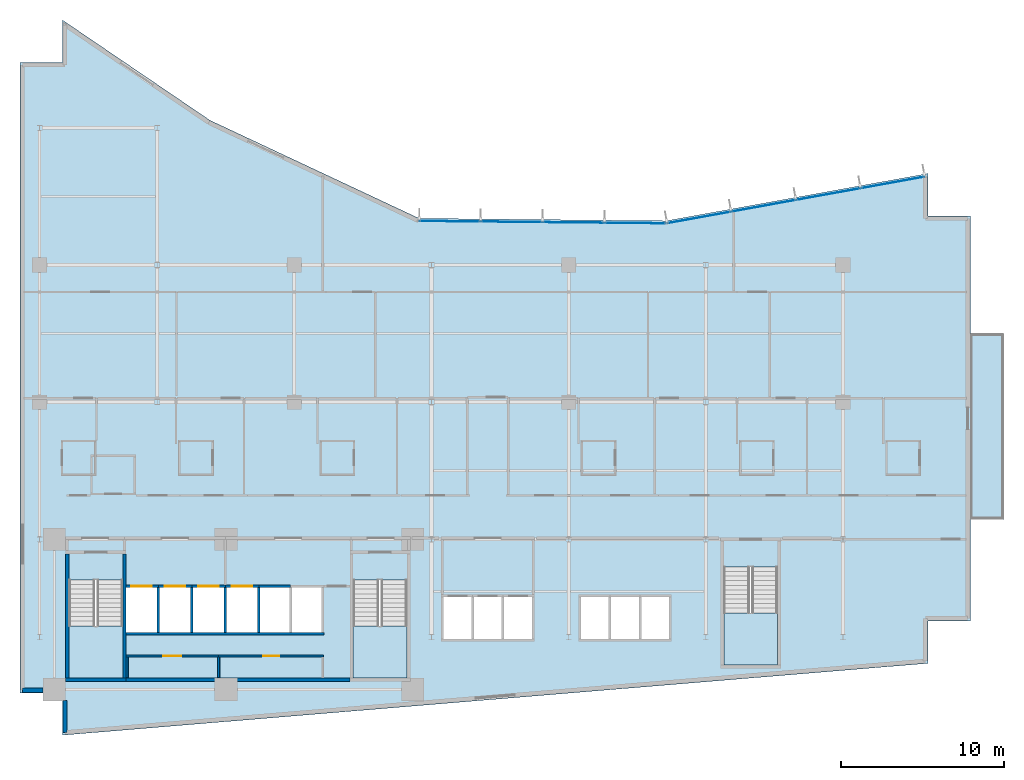
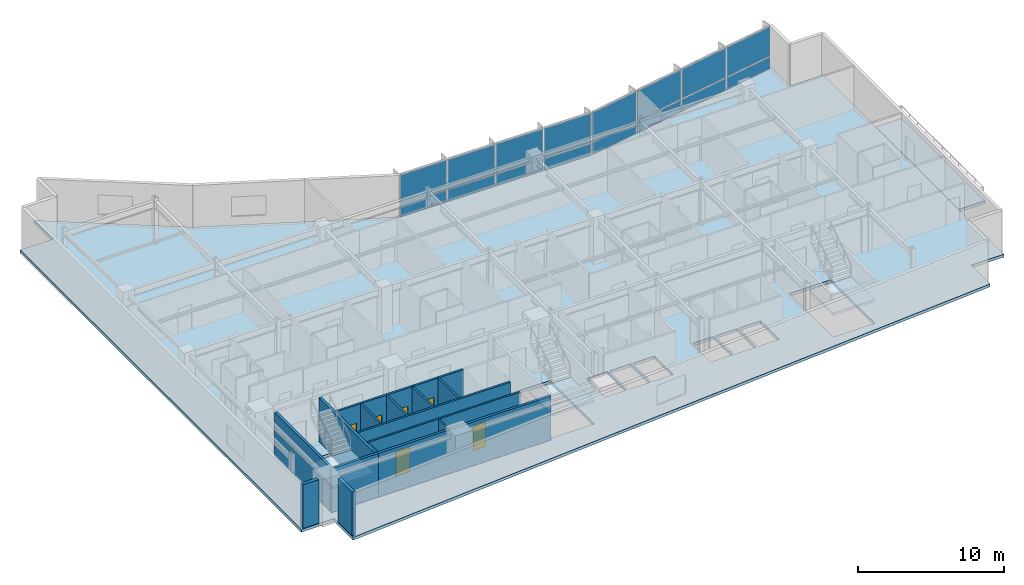
# One storey, part 9 of 19: 20 walls, 16 plates, 6 doors, 5 slabs, 6 openings, 5 elements without a shape of their own.
"""IFC4 building model written with IfcOpenShell, lengths in metres."""

import ifcopenshell
import ifcopenshell.guid

model = None  # the IFC model being written
_history = None  # IfcOwnerHistory: only IFC2X3 demands one
_inside = {}  # id of a spatial element -> (the spatial element, [elements in it])
_under = {}  # id of a project, library or spatial element -> (it, [spatial elements below it])
_declared = {}  # id of a project -> (the project, [libraries it declares])
_typed = {}  # id of a type object -> (the type object, [elements of that type])
_made_of = {}  # id of a material, layer set ... -> (it, [elements and type objects made of it])


def new_model(schema):
    """Start an empty IFC model of exactly this schema.

    Asked for "IFC4X3", IfcOpenShell would pick the latest addendum, in which some entities
    have other attributes; the version numbers below select the first issue.
    IFC2X3 requires an IfcOwnerHistory on every rooted entity: one is made here for all.
    """
    global model, _history
    if schema == "IFC4X3":
        model = ifcopenshell.file(schema_version=(4, 3, 0, 0))
    else:
        model = ifcopenshell.file(schema=schema)
    _inside.clear()
    _under.clear()
    _declared.clear()
    _typed.clear()
    _made_of.clear()
    _history = None
    if model.schema == "IFC2X3":
        org = make("IfcOrganization", Name="unknown")
        user = make(
            "IfcPersonAndOrganization",
            ThePerson=make("IfcPerson", FamilyName="unknown"),
            TheOrganization=org,
        )
        app = make(
            "IfcApplication",
            ApplicationDeveloper=org,
            Version="unknown",
            ApplicationFullName="unknown",
            ApplicationIdentifier="unknown",
        )
        _history = make(
            "IfcOwnerHistory",
            OwningUser=user,
            OwningApplication=app,
            ChangeAction="ADDED",
            CreationDate=0,
        )
    return model


def make(cls, **values):
    """One entity of the class cls with the attributes given. An attribute that is None is left unset."""
    return model.create_entity(
        cls, **{name: value for name, value in values.items() if value is not None}
    )


def rooted(cls, **values):
    """An entity with a GlobalId (a new one), such as an element, a storey or a relation."""
    return make(cls, GlobalId=ifcopenshell.guid.new(), OwnerHistory=_history, **values)


def si_unit(unit_type, name, prefix=None):
    """IfcSIUnit, for example si_unit("LENGTHUNIT", "METRE", prefix="MILLI")."""
    return make("IfcSIUnit", UnitType=unit_type, Prefix=prefix, Name=name)


def assignment(units):
    """IfcUnitAssignment: the units of a project."""
    return None if units is None else make("IfcUnitAssignment", Units=units)


def point(xyz):
    """IfcCartesianPoint."""
    return None if xyz is None else make("IfcCartesianPoint", Coordinates=xyz)


def direction(xyz):
    """IfcDirection."""
    return None if xyz is None else make("IfcDirection", DirectionRatios=xyz)


def frame(location, z_axis=None, x_axis=None):
    """IfcAxis2Placement3D, a coordinate frame: its origin and axes. An axis left out is left unset."""
    return make(
        "IfcAxis2Placement3D",
        Location=point(location),
        Axis=direction(z_axis),
        RefDirection=direction(x_axis),
    )


def frame_2d(location, x_axis=None):
    """IfcAxis2Placement2D, a coordinate frame in the plane: its origin and x axis."""
    return make(
        "IfcAxis2Placement2D", Location=point(location), RefDirection=direction(x_axis)
    )


def origin():
    """The frame at (0, 0, 0) with its axes left unset."""
    return frame((0.0, 0.0, 0.0))


def origin_2d():
    """The frame at (0, 0) in the plane with its x axis left unset."""
    return frame_2d((0.0, 0.0))


def place(relative_to, where):
    """IfcLocalPlacement: puts the frame where relative to a parent placement (None: the world)."""
    return make(
        "IfcLocalPlacement", PlacementRelTo=relative_to, RelativePlacement=where
    )


def context(
    kind, dimensions, precision=None, world=None, true_north=None, identifier=None
):
    """IfcGeometricRepresentationContext, for example the 3D "Model" context."""
    return make(
        "IfcGeometricRepresentationContext",
        ContextIdentifier=identifier,
        ContextType=kind,
        CoordinateSpaceDimension=dimensions,
        Precision=precision,
        WorldCoordinateSystem=world,
        TrueNorth=true_north,
    )


def subcontext(parent, identifier, kind, view, scale=None):
    """IfcGeometricRepresentationSubContext, for example "Body" below "Model"."""
    return make(
        "IfcGeometricRepresentationSubContext",
        ContextIdentifier=identifier,
        ContextType=kind,
        ParentContext=parent,
        TargetScale=scale,
        TargetView=view,
    )


def project(units=None, contexts=None):
    """IfcProject with its units and contexts."""
    return rooted(
        "IfcProject",
        Name="project",
        RepresentationContexts=contexts,
        UnitsInContext=assignment(units),
    )


def spatial(cls, under=None, at=None, **own):
    """A site, building, storey or space (cls), placed at a placement, below another one or the project."""
    s = rooted(cls, ObjectPlacement=at, **own)
    if under is not None:
        _under.setdefault(under.id(), (under, []))[1].append(s)
    return s


def polyline(points):
    """IfcPolyline through the points."""
    return make("IfcPolyline", Points=[point(p) for p in points])


def profile(cls, at=None, kind="AREA", **sizes):
    """A parametric profile (cls). Its sizes go by their IFC names, for example OverallWidth=200.0."""
    return make(cls, ProfileType=kind, Position=at, **sizes)


def rectangle(**sizes):
    """IfcRectangleProfileDef."""
    return profile("IfcRectangleProfileDef", **sizes)


def outline(outer, holes=None, kind="AREA"):
    """IfcArbitraryClosedProfileDef: a profile drawn as a closed curve; with holes, ...WithVoids."""
    if holes is None:
        return make("IfcArbitraryClosedProfileDef", ProfileType=kind, OuterCurve=outer)
    return make(
        "IfcArbitraryProfileDefWithVoids",
        ProfileType=kind,
        OuterCurve=outer,
        InnerCurves=holes,
    )


def extrude(swept, where, along, depth):
    """IfcExtrudedAreaSolid: the profile swept, set in the frame where, extruded along a direction by depth."""
    return make(
        "IfcExtrudedAreaSolid",
        SweptArea=swept,
        Position=where,
        ExtrudedDirection=direction(along),
        Depth=depth,
    )


def shape(context_of_items, identifier, shape_type, items):
    """IfcShapeRepresentation: the items that make up one representation, for example the "Body"."""
    return make(
        "IfcShapeRepresentation",
        ContextOfItems=context_of_items,
        RepresentationIdentifier=identifier,
        RepresentationType=shape_type,
        Items=items,
    )


def material(Name=None, Category=None):
    """IfcMaterial."""
    return make("IfcMaterial", Name=Name, Category=Category)


def layer(
    of_material, thickness, ventilated=None, Name=None, Category=None, Priority=None
):
    """IfcMaterialLayer: one layer of a wall or slab, of a material (None: an air gap)."""
    return make(
        "IfcMaterialLayer",
        Material=of_material,
        LayerThickness=thickness,
        IsVentilated=ventilated,
        Name=Name,
        Category=Category,
        Priority=Priority,
    )


def layer_set(layers, Name=None):
    """IfcMaterialLayerSet."""
    return make("IfcMaterialLayerSet", MaterialLayers=layers, LayerSetName=Name)


def made_of(thing, what):
    """Note that an element or type object is made of a material, layer set ...; save() writes the relation."""
    if what is not None:
        _made_of.setdefault(what.id(), (what, []))[1].append(thing)
    return thing


def type_object(cls, material=None, **own):
    """A type object (cls), such as IfcWallType, which elements share."""
    return made_of(rooted(cls, **own), material)


def element(
    cls,
    number,
    at=None,
    inside=None,
    cuts=None,
    type_object=None,
    material=None,
    context=None,
    identifier="Body",
    shape_type=None,
    held_by="IfcProductDefinitionShape",
    body=None,
    shapes=None,
    **own,
):
    """One element of the class cls, such as IfcWall. Its Tag is "e" and its number.

    at: its placement. inside: the storey or other place that contains it. cuts: it is an
    opening in that element (IfcRelVoidsElement). A single representation is given by context,
    identifier, shape_type and body (its items); several are given by shapes. held_by: the class
    of the entity that holds the representations. save() writes the other relations.
    """
    e = rooted(cls, Tag="e%d" % number, ObjectPlacement=at, **own)
    if body is not None:
        shapes = [shape(context, identifier, shape_type, body)]
    if shapes is not None:
        e.Representation = make(held_by, Representations=shapes)
    if inside is not None:
        _inside.setdefault(inside.id(), (inside, []))[1].append(e)
    if cuts is not None:
        rooted(
            "IfcRelVoidsElement", RelatingBuildingElement=cuts, RelatedOpeningElement=e
        )
    if type_object is not None:
        _typed.setdefault(type_object.id(), (type_object, []))[1].append(e)
    return made_of(e, material)


def fill(opening, filler):
    """IfcRelFillsElement: the door or window that sits in an opening."""
    return rooted(
        "IfcRelFillsElement",
        RelatingOpeningElement=opening,
        RelatedBuildingElement=filler,
    )


def aggregate(whole, parts):
    """IfcRelAggregates: a whole, such as a stair, and the parts it consists of."""
    return rooted("IfcRelAggregates", RelatingObject=whole, RelatedObjects=parts)


def save(model, path):
    """Write the relations noted so far, then the file.

    IfcRelAggregates (storeys below a building ...), IfcRelContainedInSpatialStructure (elements
    in a storey), IfcRelDefinesByType, IfcRelAssociatesMaterial and IfcRelDeclares: one each for
    every whole, place, type object, material and project.
    """
    for whole, parts in _under.values():
        aggregate(whole, parts)
    for where, things in _inside.values():
        rooted(
            "IfcRelContainedInSpatialStructure",
            RelatedElements=things,
            RelatingStructure=where,
        )
    for kind, things in _typed.values():
        rooted("IfcRelDefinesByType", RelatedObjects=things, RelatingType=kind)
    for what, things in _made_of.values():
        rooted("IfcRelAssociatesMaterial", RelatedObjects=things, RelatingMaterial=what)
    for by, libraries in _declared.values():
        rooted("IfcRelDeclares", RelatingContext=by, RelatedDefinitions=libraries)
    model.write(path)


model = new_model("IFC4")

# Units and contexts
model_context = context("Model", 3, precision=1e-05, world=origin(), true_north=direction((0.0, 1.0)))
body_context = subcontext(model_context, "Body", "Model", "MODEL_VIEW")
ifc_project = project(units=[si_unit("LENGTHUNIT", "METRE"), si_unit("AREAUNIT", "SQUARE_METRE"), si_unit("VOLUMEUNIT", "CUBIC_METRE"), si_unit("PLANEANGLEUNIT", "RADIAN"), si_unit("MASSUNIT", "GRAM", prefix="KILO")], contexts=[model_context])

# Site, building, storey
site_placement = place(None, origin())
site = spatial("IfcSite", under=ifc_project, at=site_placement, CompositionType="ELEMENT")
building_placement = place(site_placement, origin())
building = spatial("IfcBuilding", under=site, at=building_placement, Name="Varnakote Quay Hospital", CompositionType="ELEMENT")
storey_placement = place(building_placement, frame((0.0, 0.0, 93.60009765625)))
storey = spatial("IfcBuildingStorey", under=building, at=storey_placement, Name="L23", CompositionType="ELEMENT", Elevation=93.60009765625)

# Curtain wall, plates
ifc_material_1 = material(Name="Anodised aluminium 6063-T6 Bronze", Category="aluminium")
ifc_layer_1 = layer(ifc_material_1, 0.18994140625)
ifc_layer_set_1 = layer_set([ifc_layer_1], Name="Anodised aluminium 6063-T6 Bronze")
curtain_wall_type = type_object("IfcCurtainWallType", Name="CW-SYS-2", PredefinedType="NOTDEFINED", material=ifc_layer_set_1)
curtain_wall_1_placement = place(storey_placement, origin())
curtain_wall_1 = element("IfcCurtainWall", 1, at=curtain_wall_1_placement, inside=storey, type_object=curtain_wall_type, Name="L23 Unitised Bronze Curtain Wall 1", PredefinedType="NOTDEFINED")
ifc_material_2 = material(Name="Double-glazed acoustic laminated glass", Category="glass")
ifc_layer_2 = layer(ifc_material_2, 0.031982421875)
ifc_layer_set_2 = layer_set([ifc_layer_2], Name="Double-glazed acoustic laminated glass")
plate_type = type_object("IfcPlateType", Name="CW-PNL-GLZ-32", PredefinedType="CURTAIN_PANEL", material=ifc_layer_set_2)
plate_1_placement = place(storey_placement, frame((53.440185546875, 33.84716796875, 0.07470703125), z_axis=(0.0, 0.0, 1.0), x_axis=(-0.984058295766, -0.177846199098, 0.0)))
plate_1 = element("IfcPlate", 2, at=plate_1_placement, type_object=plate_type, Name="-2-L23-1 panel 1.1", PredefinedType="CURTAIN_PANEL", context=body_context, shape_type="SweptSolid", body=[
    extrude(rectangle(XDim=3.914306640625, YDim=0.031982421875, at=origin_2d()), origin(), (0.0, 0.0, 1.0), 0.987548828125),
])
plate_2_placement = place(storey_placement, frame((53.440185546875, 33.84716796875, 1.137451171875), z_axis=(0.0, 0.0, 1.0), x_axis=(-0.984058295766, -0.177846199098, 0.0)))
plate_2 = element("IfcPlate", 3, at=plate_2_placement, type_object=plate_type, Name="-2-L23-1 panel 1.2", PredefinedType="CURTAIN_PANEL", context=body_context, shape_type="SweptSolid", body=[
    extrude(rectangle(XDim=3.914306640625, YDim=0.031982421875, at=origin_2d()), origin(), (0.0, 0.0, 1.0), 2.45751953125),
])
plate_3_placement = place(storey_placement, frame((49.49609375, 33.13427734375, 0.07470703125), z_axis=(0.0, 0.0, 1.0), x_axis=(-0.984058295766, -0.177846199098, 0.0)))
plate_3 = element("IfcPlate", 4, at=plate_3_placement, type_object=plate_type, Name="-2-L23-1 panel 2.1", PredefinedType="CURTAIN_PANEL", context=body_context, shape_type="SweptSolid", body=[
    extrude(rectangle(XDim=3.951904296875, YDim=0.031982421875, at=origin_2d()), origin(), (0.0, 0.0, 1.0), 0.987548828125),
])
plate_4_placement = place(storey_placement, frame((49.49609375, 33.13427734375, 1.137451171875), z_axis=(0.0, 0.0, 1.0), x_axis=(-0.984058295766, -0.177846199098, 0.0)))
plate_4 = element("IfcPlate", 5, at=plate_4_placement, type_object=plate_type, Name="-2-L23-1 panel 2.2", PredefinedType="CURTAIN_PANEL", context=body_context, shape_type="SweptSolid", body=[
    extrude(rectangle(XDim=3.951904296875, YDim=0.031982421875, at=origin_2d()), origin(), (0.0, 0.0, 1.0), 2.45751953125),
])
plate_5_placement = place(storey_placement, frame((45.533447265625, 32.418212890625, 0.07470703125), z_axis=(0.0, 0.0, 1.0), x_axis=(-0.984058295766, -0.177846199098, 0.0)))
plate_5 = element("IfcPlate", 6, at=plate_5_placement, type_object=plate_type, Name="-2-L23-1 panel 3.1", PredefinedType="CURTAIN_PANEL", context=body_context, shape_type="SweptSolid", body=[
    extrude(rectangle(XDim=3.951904296875, YDim=0.031982421875, at=origin_2d()), origin(), (0.0, 0.0, 1.0), 0.987548828125),
])
plate_6_placement = place(storey_placement, frame((45.533447265625, 32.418212890625, 1.137451171875), z_axis=(0.0, 0.0, 1.0), x_axis=(-0.984058295766, -0.177846199098, 0.0)))
plate_6 = element("IfcPlate", 7, at=plate_6_placement, type_object=plate_type, Name="-2-L23-1 panel 3.2", PredefinedType="CURTAIN_PANEL", context=body_context, shape_type="SweptSolid", body=[
    extrude(rectangle(XDim=3.951904296875, YDim=0.031982421875, at=origin_2d()), origin(), (0.0, 0.0, 1.0), 2.45751953125),
])
plate_7_placement = place(storey_placement, frame((41.58935546875, 31.705322265625, 0.07470703125), z_axis=(0.0, 0.0, 1.0), x_axis=(-0.984058295766, -0.177846199098, 0.0)))
plate_7 = element("IfcPlate", 8, at=plate_7_placement, type_object=plate_type, Name="-2-L23-1 panel 4.1", PredefinedType="CURTAIN_PANEL", context=body_context, shape_type="SweptSolid", body=[
    extrude(rectangle(XDim=3.914306640625, YDim=0.031982421875, at=origin_2d()), origin(), (0.0, 0.0, 1.0), 0.987548828125),
])
plate_8_placement = place(storey_placement, frame((41.58935546875, 31.705322265625, 1.137451171875), z_axis=(0.0, 0.0, 1.0), x_axis=(-0.984058295766, -0.177846199098, 0.0)))
plate_8 = element("IfcPlate", 9, at=plate_8_placement, type_object=plate_type, Name="-2-L23-1 panel 4.2", PredefinedType="CURTAIN_PANEL", context=body_context, shape_type="SweptSolid", body=[
    extrude(rectangle(XDim=3.914306640625, YDim=0.031982421875, at=origin_2d()), origin(), (0.0, 0.0, 1.0), 2.45751953125),
])
aggregate(curtain_wall_1, [plate_1, plate_2, plate_3, plate_4, plate_5, plate_6, plate_7, plate_8])

curtain_wall_2_placement = place(storey_placement, origin())
curtain_wall_2 = element("IfcCurtainWall", 10, at=curtain_wall_2_placement, inside=storey, type_object=curtain_wall_type, Name="L23 Unitised Bronze Curtain Wall 2", PredefinedType="NOTDEFINED")
plate_9_placement = place(storey_placement, frame((37.673095703125, 31.362548828125, 0.07470703125), z_axis=(0.0, 0.0, 1.0), x_axis=(-0.999952230718, 0.009774266312, 0.0)))
plate_9 = element("IfcPlate", 11, at=plate_9_placement, type_object=plate_type, Name="-2-L23-2 panel 1.1", PredefinedType="CURTAIN_PANEL", context=body_context, shape_type="SweptSolid", body=[
    extrude(rectangle(XDim=3.68310546875, YDim=0.031982421875, at=origin_2d()), origin(), (0.0, 0.0, 1.0), 0.987548828125),
])
plate_10_placement = place(storey_placement, frame((37.673095703125, 31.362548828125, 1.137451171875), z_axis=(0.0, 0.0, 1.0), x_axis=(-0.999952230718, 0.009774266312, 0.0)))
plate_10 = element("IfcPlate", 12, at=plate_10_placement, type_object=plate_type, Name="-2-L23-2 panel 1.2", PredefinedType="CURTAIN_PANEL", context=body_context, shape_type="SweptSolid", body=[
    extrude(rectangle(XDim=3.68310546875, YDim=0.031982421875, at=origin_2d()), origin(), (0.0, 0.0, 1.0), 2.45751953125),
])
plate_11_placement = place(storey_placement, frame((33.896240234375, 31.399658203125, 0.07470703125), z_axis=(0.0, 0.0, 1.0), x_axis=(-0.999952230718, 0.009774266312, 0.0)))
plate_11 = element("IfcPlate", 13, at=plate_11_placement, type_object=plate_type, Name="-2-L23-2 panel 2.1", PredefinedType="CURTAIN_PANEL", context=body_context, shape_type="SweptSolid", body=[
    extrude(rectangle(XDim=3.720703125, YDim=0.031982421875, at=origin_2d()), origin(), (0.0, 0.0, 1.0), 0.987548828125),
])
plate_12_placement = place(storey_placement, frame((33.896240234375, 31.399658203125, 1.137451171875), z_axis=(0.0, 0.0, 1.0), x_axis=(-0.999952230718, 0.009774266312, 0.0)))
plate_12 = element("IfcPlate", 14, at=plate_12_placement, type_object=plate_type, Name="-2-L23-2 panel 2.2", PredefinedType="CURTAIN_PANEL", context=body_context, shape_type="SweptSolid", body=[
    extrude(rectangle(XDim=3.720703125, YDim=0.031982421875, at=origin_2d()), origin(), (0.0, 0.0, 1.0), 2.45751953125),
])
plate_13_placement = place(storey_placement, frame((30.100830078125, 31.436767578125, 0.07470703125), z_axis=(0.0, 0.0, 1.0), x_axis=(-0.999952230718, 0.009774266312, 0.0)))
plate_13 = element("IfcPlate", 15, at=plate_13_placement, type_object=plate_type, Name="-2-L23-2 panel 3.1", PredefinedType="CURTAIN_PANEL", context=body_context, shape_type="SweptSolid", body=[
    extrude(rectangle(XDim=3.720703125, YDim=0.031982421875, at=origin_2d()), origin(), (0.0, 0.0, 1.0), 0.987548828125),
])
plate_14_placement = place(storey_placement, frame((30.100830078125, 31.436767578125, 1.137451171875), z_axis=(0.0, 0.0, 1.0), x_axis=(-0.999952230718, 0.009774266312, 0.0)))
plate_14 = element("IfcPlate", 16, at=plate_14_placement, type_object=plate_type, Name="-2-L23-2 panel 3.2", PredefinedType="CURTAIN_PANEL", context=body_context, shape_type="SweptSolid", body=[
    extrude(rectangle(XDim=3.720703125, YDim=0.031982421875, at=origin_2d()), origin(), (0.0, 0.0, 1.0), 2.45751953125),
])
plate_15_placement = place(storey_placement, frame((26.32421875, 31.4736328125, 0.07470703125), z_axis=(0.0, 0.0, 1.0), x_axis=(-0.999952230718, 0.009774266312, 0.0)))
plate_15 = element("IfcPlate", 17, at=plate_15_placement, type_object=plate_type, Name="-2-L23-2 panel 4.1", PredefinedType="CURTAIN_PANEL", context=body_context, shape_type="SweptSolid", body=[
    extrude(rectangle(XDim=3.68310546875, YDim=0.031982421875, at=origin_2d()), origin(), (0.0, 0.0, 1.0), 0.987548828125),
])
plate_16_placement = place(storey_placement, frame((26.32421875, 31.4736328125, 1.137451171875), z_axis=(0.0, 0.0, 1.0), x_axis=(-0.999952230718, 0.009774266312, 0.0)))
plate_16 = element("IfcPlate", 18, at=plate_16_placement, type_object=plate_type, Name="-2-L23-2 panel 4.2", PredefinedType="CURTAIN_PANEL", context=body_context, shape_type="SweptSolid", body=[
    extrude(rectangle(XDim=3.68310546875, YDim=0.031982421875, at=origin_2d()), origin(), (0.0, 0.0, 1.0), 2.45751953125),
])
aggregate(curtain_wall_2, [plate_9, plate_10, plate_11, plate_12, plate_13, plate_14, plate_15, plate_16])

# Stair, slab
ifc_material_3 = material(Name="Concrete N40 (f'c 40 MPa)", Category="concrete")
stair_type = type_object("IfcStairType", Name="STR-CORE-1580", PredefinedType="HALF_TURN_STAIR", material=ifc_material_3)
stair_1_placement = place(storey_placement, origin())
stair_1 = element("IfcStair", 19, at=stair_1_placement, inside=storey, type_object=stair_type, Name="L23 Fire-Isolated Exit Stair ST-01", PredefinedType="HALF_TURN_STAIR")
ifc_material_4 = material(Name="Concrete N40 (f'c 40 MPa)", Category="concrete")
ifc_layer_3 = layer(ifc_material_4, 0.199951171875)
ifc_layer_set_3 = layer_set([ifc_layer_3], Name="Concrete N40 (f'c 40 MPa)")
slab_type_1 = type_object("IfcSlabType", Name="SLB-STAIR-LND-200", PredefinedType="LANDING", material=ifc_layer_set_3)
slab_1_placement = place(storey_placement, frame((0.0, 0.0, 1.77490234375)))
slab_1 = element("IfcSlab", 20, at=slab_1_placement, type_object=slab_type_1, Name="ST-01 landing 1", PredefinedType="LANDING", context=body_context, shape_type="SweptSolid", body=[
    extrude(outline(polyline([(3.0, 6.699951171875), (3.0, 3.5), (6.300048828125, 3.5), (6.300048828125, 6.699951171875), (3.0, 6.699951171875)])), origin(), (0.0, 0.0, 1.0), 0.199951171875),
])
aggregate(stair_1, [slab_1])

stair_2_placement = place(storey_placement, origin())
stair_2 = element("IfcStair", 21, at=stair_2_placement, inside=storey, type_object=stair_type, Name="L23 Fire-Isolated Exit Stair ST-02", PredefinedType="HALF_TURN_STAIR")
slab_2_placement = place(storey_placement, frame((0.0, 0.0, 1.77490234375)))
slab_2 = element("IfcSlab", 22, at=slab_2_placement, type_object=slab_type_1, Name="ST-02 landing 1", PredefinedType="LANDING", context=body_context, shape_type="SweptSolid", body=[
    extrude(outline(polyline([(20.39990234375, 6.699951171875), (20.39990234375, 3.5), (23.699951171875, 3.5), (23.699951171875, 6.699951171875), (20.39990234375, 6.699951171875)])), origin(), (0.0, 0.0, 1.0), 0.199951171875),
])
aggregate(stair_2, [slab_2])

stair_3_placement = place(storey_placement, origin())
stair_3 = element("IfcStair", 23, at=stair_3_placement, inside=storey, type_object=stair_type, Name="L23 Fire-Isolated Exit Stair ST-03", PredefinedType="HALF_TURN_STAIR")
slab_3_placement = place(storey_placement, frame((0.0, 0.0, 1.77490234375)))
slab_3 = element("IfcSlab", 24, at=slab_3_placement, type_object=slab_type_1, Name="ST-03 landing 1", PredefinedType="LANDING", context=body_context, shape_type="SweptSolid", body=[
    extrude(outline(polyline([(43.10009765625, 7.5), (43.10009765625, 4.300048828125), (46.39990234375, 4.300048828125), (46.39990234375, 7.5), (43.10009765625, 7.5)])), origin(), (0.0, 0.0, 1.0), 0.199951171875),
])
aggregate(stair_3, [slab_3])

# Slabs
ifc_material_5 = material(Name="Concrete N50 (f'c 50 MPa)", Category="concrete")
ifc_layer_4 = layer(ifc_material_5, 0.239990234375)
ifc_layer_set_4 = layer_set([ifc_layer_4], Name="Concrete N50 (f'c 50 MPa)")
slab_type_2 = type_object("IfcSlabType", Name="SLB-TERR-200", PredefinedType="FLOOR", material=ifc_layer_set_4)
slab_4_placement = place(storey_placement, frame((0.0, 0.0, -0.239990234375)))
element("IfcSlab", 25, at=slab_4_placement, inside=storey, type_object=slab_type_2, Name="L23 Waterfront Healing Terrace Slab", PredefinedType="FLOOR", context=body_context, shape_type="SweptSolid", body=[
    extrude(outline(polyline([(58.196044921875, 24.60009765625), (58.196044921875, 13.199951171875), (60.260009765625, 13.199951171875), (60.260009765625, 24.60009765625), (58.196044921875, 24.60009765625)])), origin(), (0.0, 0.0, 1.0), 0.239990234375),
])
ifc_material_6 = material(Name="Concrete N50 (f'c 50 MPa)", Category="concrete")
ifc_layer_5 = layer(ifc_material_6, 0.239990234375)
ifc_layer_set_5 = layer_set([ifc_layer_5], Name="Concrete N50 (f'c 50 MPa)")
slab_type_3 = type_object("IfcSlabType", Name="SLB-WARD-200", PredefinedType="FLOOR", material=ifc_layer_set_5)
slab_5_placement = place(storey_placement, frame((0.0, 0.0, -0.239990234375)))
element("IfcSlab", 26, at=slab_5_placement, inside=storey, type_object=slab_type_3, Name="L23 Primary Floor Slab", PredefinedType="FLOOR", context=body_context, shape_type="SweptSolid", body=[
    extrude(outline(polyline([(0.0, 2.60009765625), (2.60009765625, 2.60009765625), (2.60009765625, 0.0), (55.60009765625, 4.39990234375), (55.60009765625, 7.0), (58.199951171875, 7.0), (58.199951171875, 31.800048828125), (55.60009765625, 31.800048828125), (55.60009765625, 34.39990234375), (39.575927734375, 31.50390625), (24.444091796875, 31.652099609375), (11.639892578125, 37.656005859375), (2.60009765625, 43.800048828125), (2.60009765625, 41.199951171875), (0.0, 41.199951171875), (0.0, 2.60009765625)]), holes=[polyline([(3.0, 3.5), (6.300048828125, 3.5), (6.300048828125, 9.49951171875), (3.0, 9.49951171875), (3.0, 3.5)]), polyline([(20.39990234375, 3.5), (23.699951171875, 3.5), (23.699951171875, 9.49951171875), (20.39990234375, 9.49951171875), (20.39990234375, 3.5)]), polyline([(43.10009765625, 4.300048828125), (46.39990234375, 4.300048828125), (46.39990234375, 10.29931640625), (43.10009765625, 10.29931640625), (43.10009765625, 4.300048828125)]), polyline([(6.5, 6.300048828125), (8.39990234375, 6.300048828125), (8.39990234375, 9.050048828125), (6.5, 9.050048828125), (6.5, 6.300048828125)]), polyline([(8.550048828125, 6.300048828125), (10.449951171875, 6.300048828125), (10.449951171875, 9.050048828125), (8.550048828125, 9.050048828125), (8.550048828125, 6.300048828125)]), polyline([(10.60009765625, 6.300048828125), (12.5, 6.300048828125), (12.5, 9.050048828125), (10.60009765625, 9.050048828125), (10.60009765625, 6.300048828125)]), polyline([(12.64990234375, 6.300048828125), (14.550048828125, 6.300048828125), (14.550048828125, 9.050048828125), (12.64990234375, 9.050048828125), (12.64990234375, 6.300048828125)]), polyline([(14.699951171875, 6.300048828125), (16.5, 6.300048828125), (16.5, 9.050048828125), (14.699951171875, 9.050048828125), (14.699951171875, 6.300048828125)]), polyline([(16.64990234375, 6.300048828125), (18.449951171875, 6.300048828125), (18.449951171875, 9.050048828125), (16.64990234375, 9.050048828125), (16.64990234375, 6.300048828125)]), polyline([(25.949951171875, 5.89990234375), (27.64990234375, 5.89990234375), (27.64990234375, 8.449951171875), (25.949951171875, 8.449951171875), (25.949951171875, 5.89990234375)]), polyline([(27.800048828125, 5.89990234375), (29.5, 5.89990234375), (29.5, 8.449951171875), (27.800048828125, 8.449951171875), (27.800048828125, 5.89990234375)]), polyline([(29.64990234375, 5.89990234375), (31.35009765625, 5.89990234375), (31.35009765625, 8.449951171875), (29.64990234375, 8.449951171875), (29.64990234375, 5.89990234375)]), polyline([(34.35009765625, 5.89990234375), (36.050048828125, 5.89990234375), (36.050048828125, 8.449951171875), (34.35009765625, 8.449951171875), (34.35009765625, 5.89990234375)]), polyline([(36.199951171875, 5.89990234375), (37.89990234375, 5.89990234375), (37.89990234375, 8.449951171875), (36.199951171875, 8.449951171875), (36.199951171875, 5.89990234375)]), polyline([(38.050048828125, 5.89990234375), (39.75, 5.89990234375), (39.75, 8.449951171875), (38.050048828125, 8.449951171875), (38.050048828125, 5.89990234375)])]), origin(), (0.0, 0.0, 1.0), 0.239990234375),
])

# Walls
ifc_material_7 = material(Name="Concrete N80 (f'c 80 MPa)", Category="concrete")
ifc_layer_6 = layer(ifc_material_7, 0.199951171875)
ifc_layer_set_6 = layer_set([ifc_layer_6], Name="Concrete N80 (f'c 80 MPa)")
wall_type_1 = type_object("IfcWallType", Name="WL-CORE-N80-200", PredefinedType="SHEAR", material=ifc_layer_set_6)
wall_1_placement = place(storey_placement, frame((6.5, 3.39990234375, 0.0), z_axis=(0.0, 0.0, 1.0), x_axis=(1.0, 0.0, 0.0)))
element("IfcWall", 27, at=wall_1_placement, inside=storey, type_object=wall_type_1, Name="L23 Rear Core South Shear Wall", PredefinedType="SHEAR", context=body_context, shape_type="SweptSolid", body=[
    extrude(rectangle(XDim=13.699951171875, YDim=0.199951171875, at=frame_2d((6.85009765625, 0.0))), origin(), (0.0, 0.0, 1.0), 3.669921875),
])
ifc_material_8 = material(Name="Precast concrete N50 (f'c 50 MPa)", Category="concrete")
ifc_layer_7 = layer(ifc_material_8, 0.260009765625)
ifc_layer_set_7 = layer_set([ifc_layer_7], Name="Precast concrete N50 (f'c 50 MPa)")
wall_type_2 = type_object("IfcWallType", Name="WL-EXT-BRICK-260", PredefinedType="STANDARD", material=ifc_layer_set_7)
wall_2_placement = place(storey_placement, frame((2.760009765625, 2.114990234375, 0.0), z_axis=(0.0, 0.0, 1.0), x_axis=(0.0, -1.0, 0.0)))
element("IfcWall", 28, at=wall_2_placement, inside=storey, type_object=wall_type_2, Name="L23 Brick-Faced Precast Exterior Wall", PredefinedType="STANDARD", context=body_context, shape_type="SweptSolid", body=[
    extrude(rectangle(XDim=1.941162109375, YDim=0.260009765625, at=frame_2d((0.970703125, 0.0))), origin(), (0.0, 0.0, 1.0), 3.669921875),
])
wall_3_placement = place(storey_placement, frame((0.159912109375, 2.760009765625, 0.0), z_axis=(0.0, 0.0, 1.0), x_axis=(1.0, 0.0, 0.0)))
element("IfcWall", 29, at=wall_3_placement, inside=storey, type_object=wall_type_2, Name="L23 Brick-Faced Precast Exterior Wall", PredefinedType="STANDARD", context=body_context, shape_type="SweptSolid", body=[
    extrude(rectangle(XDim=1.255126953125, YDim=0.260009765625, at=frame_2d((0.62744140625, 0.0))), origin(), (0.0, 0.0, 1.0), 3.669921875),
])
ifc_material_9 = material(Name="Concrete N50 (f'c 50 MPa)", Category="concrete")
ifc_layer_8 = layer(ifc_material_9, 0.14990234375)
ifc_layer_set_8 = layer_set([ifc_layer_8], Name="Concrete N50 (f'c 50 MPa)")
wall_type_3 = type_object("IfcWallType", Name="WL-SHAFT-N50-150", PredefinedType="SHEAR", material=ifc_layer_set_8)
for number, where, z_axis, x_axis, name in (
    (30, (8.47509765625, 6.300048828125, 0.0), (0.0, 0.0, 1.0), (0.0, 1.0, 0.0), "L23 LF-FF1 Hoistway Divider Wall"),
    (31, (10.52490234375, 6.300048828125, 0.0), (0.0, 0.0, 1.0), (0.0, 1.0, 0.0), "L23 LF-FF2 Hoistway Divider Wall"),
    (32, (12.574951171875, 6.300048828125, 0.0), (0.0, 0.0, 1.0), (0.0, 1.0, 0.0), "L23 LF-SV1 Hoistway Divider Wall"),
    (33, (14.625, 6.300048828125, 0.0), (0.0, 0.0, 1.0), (0.0, 1.0, 0.0), "L23 LF-SV2 Hoistway Divider Wall"),
):
    element("IfcWall", number, at=place(storey_placement, frame(where, z_axis=z_axis, x_axis=x_axis)), inside=storey, type_object=wall_type_3, Name=name, PredefinedType="SHEAR", context=body_context, shape_type="SweptSolid", body=[
        extrude(rectangle(XDim=2.75, YDim=0.14990234375, at=frame_2d((1.375, 0.0))), origin(), (0.0, 0.0, 1.0), 3.669921875),
    ])
ifc_material_10 = material(Name="Concrete N50 (f'c 50 MPa)", Category="concrete")
ifc_layer_9 = layer(ifc_material_10, 0.159912109375)
ifc_layer_set_9 = layer_set([ifc_layer_9], Name="Concrete N50 (f'c 50 MPa)")
wall_type_4 = type_object("IfcWallType", Name="WL-SHAFT-N50-160", PredefinedType="SHEAR", material=ifc_layer_set_9)
wall_4_placement = place(storey_placement, frame((6.5, 6.219970703125, 0.0), z_axis=(0.0, 0.0, 1.0), x_axis=(1.0, 0.0, 0.0)))
element("IfcWall", 34, at=wall_4_placement, inside=storey, type_object=wall_type_4, Name="L23 REAR Lift Bank Back Shear Wall", PredefinedType="SHEAR", context=body_context, shape_type="SweptSolid", body=[
    extrude(rectangle(XDim=12.110107421875, YDim=0.159912109375, at=frame_2d((6.05517578125, 0.0))), origin(), (0.0, 0.0, 1.0), 3.669921875),
])

# Wall, opening, door
wall_5_placement = place(storey_placement, frame((6.5, 9.1298828125, 0.0), z_axis=(0.0, 0.0, 1.0), x_axis=(1.0, 0.0, 0.0)))
wall_5 = element("IfcWall", 35, at=wall_5_placement, inside=storey, type_object=wall_type_4, Name="L23 LF-FF1 Hoistway Front Wall", PredefinedType="SHEAR", context=body_context, shape_type="SweptSolid", body=[
    extrude(rectangle(XDim=1.97509765625, YDim=0.159912109375, at=frame_2d((0.987548828125, 0.0))), origin(), (0.0, 0.0, 1.0), 3.669921875),
])
opening_1_placement = place(wall_5_placement, frame((0.324951171875, 0.0, 0.0)))
opening_1 = element("IfcOpeningElement", 36, at=opening_1_placement, cuts=wall_5, Name="Opening LD-FF1-L23", PredefinedType="OPENING", context=body_context, shape_type="SweptSolid", body=[
    extrude(rectangle(XDim=1.25, YDim=2.14990234375, at=frame_2d((0.625, 1.074951171875))), frame((0.0, 0.08984375, 0.0), z_axis=(0.0, -1.0, 0.0), x_axis=(1.0, 0.0, 0.0)), (0.0, 0.0, 1.0), 0.179931640625),
])
ifc_material_11 = material(Name="Stainless steel lift landing sliding door", Category="steel")
door_type_1 = type_object("IfcDoorType", Name="DR-LIFT-LD-1250x2150", OperationType="NOTDEFINED", PredefinedType="DOOR", material=ifc_material_11)
door_1_placement = place(opening_1_placement, origin())
door_1 = element("IfcDoor", 37, at=door_1_placement, inside=storey, type_object=door_type_1, Name="L23 LF-FF1 Lift Landing Sliding Door", OperationType="SLIDING_TO_LEFT", OverallHeight=2.14990234375, OverallWidth=1.25, PredefinedType="DOOR", context=body_context, shape_type="SweptSolid", body=[
    extrude(rectangle(XDim=1.25, YDim=2.14990234375, at=frame_2d((0.625, 1.074951171875))), frame((0.0, 0.02490234375, 0.0), z_axis=(0.0, -1.0, 0.0), x_axis=(1.0, 0.0, 0.0)), (0.0, 0.0, 1.0), 0.050048828125),
])
fill(opening_1, door_1)

wall_6_placement = place(storey_placement, frame((8.47509765625, 9.1298828125, 0.0), z_axis=(0.0, 0.0, 1.0), x_axis=(1.0, 0.0, 0.0)))
wall_6 = element("IfcWall", 38, at=wall_6_placement, inside=storey, type_object=wall_type_4, Name="L23 LF-FF2 Hoistway Front Wall", PredefinedType="SHEAR", context=body_context, shape_type="SweptSolid", body=[
    extrude(rectangle(XDim=2.0498046875, YDim=0.159912109375, at=frame_2d((1.02490234375, 0.0))), origin(), (0.0, 0.0, 1.0), 3.669921875),
])
opening_2_placement = place(wall_6_placement, frame((0.39990234375, 0.0, 0.0)))
opening_2 = element("IfcOpeningElement", 39, at=opening_2_placement, cuts=wall_6, Name="Opening LD-FF2-L23", PredefinedType="OPENING", context=body_context, shape_type="SweptSolid", body=[
    extrude(rectangle(XDim=1.25, YDim=2.14990234375, at=frame_2d((0.625, 1.074951171875))), frame((0.0, 0.08984375, 0.0), z_axis=(0.0, -1.0, 0.0), x_axis=(1.0, 0.0, 0.0)), (0.0, 0.0, 1.0), 0.179931640625),
])
door_2_placement = place(opening_2_placement, origin())
door_2 = element("IfcDoor", 40, at=door_2_placement, inside=storey, type_object=door_type_1, Name="L23 LF-FF2 Lift Landing Sliding Door", OperationType="SLIDING_TO_LEFT", OverallHeight=2.14990234375, OverallWidth=1.25, PredefinedType="DOOR", context=body_context, shape_type="SweptSolid", body=[
    extrude(rectangle(XDim=1.25, YDim=2.14990234375, at=frame_2d((0.625, 1.074951171875))), frame((0.0, 0.02490234375, 0.0), z_axis=(0.0, -1.0, 0.0), x_axis=(1.0, 0.0, 0.0)), (0.0, 0.0, 1.0), 0.050048828125),
])
fill(opening_2, door_2)

wall_7_placement = place(storey_placement, frame((10.52490234375, 9.1298828125, 0.0), z_axis=(0.0, 0.0, 1.0), x_axis=(1.0, 0.0, 0.0)))
wall_7 = element("IfcWall", 41, at=wall_7_placement, inside=storey, type_object=wall_type_4, Name="L23 LF-SV1 Hoistway Front Wall", PredefinedType="SHEAR", context=body_context, shape_type="SweptSolid", body=[
    extrude(rectangle(XDim=2.050048828125, YDim=0.159912109375, at=frame_2d((1.02490234375, 0.0))), origin(), (0.0, 0.0, 1.0), 3.669921875),
])
opening_3_placement = place(wall_7_placement, frame((0.39990234375, 0.0, 0.0)))
opening_3 = element("IfcOpeningElement", 42, at=opening_3_placement, cuts=wall_7, Name="Opening LD-SV1-L23", PredefinedType="OPENING", context=body_context, shape_type="SweptSolid", body=[
    extrude(rectangle(XDim=1.25, YDim=2.14990234375, at=frame_2d((0.625, 1.074951171875))), frame((0.0, 0.08984375, 0.0), z_axis=(0.0, -1.0, 0.0), x_axis=(1.0, 0.0, 0.0)), (0.0, 0.0, 1.0), 0.179931640625),
])
door_3_placement = place(opening_3_placement, origin())
door_3 = element("IfcDoor", 43, at=door_3_placement, inside=storey, type_object=door_type_1, Name="L23 LF-SV1 Lift Landing Sliding Door", OperationType="SLIDING_TO_LEFT", OverallHeight=2.14990234375, OverallWidth=1.25, PredefinedType="DOOR", context=body_context, shape_type="SweptSolid", body=[
    extrude(rectangle(XDim=1.25, YDim=2.14990234375, at=frame_2d((0.625, 1.074951171875))), frame((0.0, 0.02490234375, 0.0), z_axis=(0.0, -1.0, 0.0), x_axis=(1.0, 0.0, 0.0)), (0.0, 0.0, 1.0), 0.050048828125),
])
fill(opening_3, door_3)

wall_8_placement = place(storey_placement, frame((12.574951171875, 9.1298828125, 0.0), z_axis=(0.0, 0.0, 1.0), x_axis=(1.0, 0.0, 0.0)))
wall_8 = element("IfcWall", 44, at=wall_8_placement, inside=storey, type_object=wall_type_4, Name="L23 LF-SV2 Hoistway Front Wall", PredefinedType="SHEAR", context=body_context, shape_type="SweptSolid", body=[
    extrude(rectangle(XDim=2.050048828125, YDim=0.159912109375, at=frame_2d((1.02490234375, 0.0))), origin(), (0.0, 0.0, 1.0), 3.669921875),
])
opening_4_placement = place(wall_8_placement, frame((0.39990234375, 0.0, 0.0)))
opening_4 = element("IfcOpeningElement", 45, at=opening_4_placement, cuts=wall_8, Name="Opening LD-SV2-L23", PredefinedType="OPENING", context=body_context, shape_type="SweptSolid", body=[
    extrude(rectangle(XDim=1.25, YDim=2.14990234375, at=frame_2d((0.625, 1.074951171875))), frame((0.0, 0.08984375, 0.0), z_axis=(0.0, -1.0, 0.0), x_axis=(1.0, 0.0, 0.0)), (0.0, 0.0, 1.0), 0.179931640625),
])
door_4_placement = place(opening_4_placement, origin())
door_4 = element("IfcDoor", 46, at=door_4_placement, inside=storey, type_object=door_type_1, Name="L23 LF-SV2 Lift Landing Sliding Door", OperationType="SLIDING_TO_LEFT", OverallHeight=2.14990234375, OverallWidth=1.25, PredefinedType="DOOR", context=body_context, shape_type="SweptSolid", body=[
    extrude(rectangle(XDim=1.25, YDim=2.14990234375, at=frame_2d((0.625, 1.074951171875))), frame((0.0, 0.02490234375, 0.0), z_axis=(0.0, -1.0, 0.0), x_axis=(1.0, 0.0, 0.0)), (0.0, 0.0, 1.0), 0.050048828125),
])
fill(opening_4, door_4)

# Walls
wall_9_placement = place(storey_placement, frame((14.625, 9.1298828125, 0.0), z_axis=(0.0, 0.0, 1.0), x_axis=(1.0, 0.0, 0.0)))
element("IfcWall", 47, at=wall_9_placement, inside=storey, type_object=wall_type_4, Name="L23 LF-PH1 Hoistway Front Wall", PredefinedType="SHEAR", context=body_context, shape_type="SweptSolid", body=[
    extrude(rectangle(XDim=1.949951171875, YDim=0.159912109375, at=frame_2d((0.97509765625, 0.0))), origin(), (0.0, 0.0, 1.0), 3.669921875),
])
ifc_material_12 = material(Name="Concrete N50 (f'c 50 MPa)", Category="concrete")
ifc_layer_10 = layer(ifc_material_12, 0.199951171875)
ifc_layer_set_10 = layer_set([ifc_layer_10], Name="Concrete N50 (f'c 50 MPa)")
wall_type_5 = type_object("IfcWallType", Name="WL-SHAFT-N50-200", PredefinedType="SHEAR", material=ifc_layer_set_10)
wall_10_placement = place(storey_placement, frame((2.800048828125, 3.39990234375, 0.0), z_axis=(0.0, 0.0, 1.0), x_axis=(1.0, 0.0, 0.0)))
element("IfcWall", 48, at=wall_10_placement, inside=storey, type_object=wall_type_5, Name="L23 Stair ST1 South Shaft Wall", PredefinedType="SHEAR", context=body_context, shape_type="SweptSolid", body=[
    extrude(rectangle(XDim=3.699951171875, YDim=0.199951171875, at=frame_2d((1.85009765625, 0.0))), origin(), (0.0, 0.0, 1.0), 3.669921875),
])
for number, where, z_axis, x_axis, name in (
    (49, (2.89990234375, 3.5, 0.0), (0.0, 0.0, 1.0), (0.0, 1.0, 0.0), "L23 Stair ST1 West Shaft Wall"),
    (50, (6.39990234375, 3.5, 0.0), (0.0, 0.0, 1.0), (0.0, 1.0, 0.0), "L23 Stair ST1 East Shaft Wall"),
):
    element("IfcWall", number, at=place(storey_placement, frame(where, z_axis=z_axis, x_axis=x_axis)), inside=storey, type_object=wall_type_5, Name=name, PredefinedType="SHEAR", context=body_context, shape_type="SweptSolid", body=[
        extrude(rectangle(XDim=7.60009765625, YDim=0.199951171875, at=frame_2d((3.800048828125, 0.0))), origin(), (0.0, 0.0, 1.0), 3.669921875),
    ])
ifc_material_13 = material(Name="Smoke-proof clinical partition", Category="gypsum")
ifc_layer_11 = layer(ifc_material_13, 0.1201171875)
ifc_layer_set_11 = layer_set([ifc_layer_11], Name="Smoke-proof clinical partition")
wall_type_6 = type_object("IfcWallType", Name="WL-SMOKE-120", PredefinedType="PARTITIONING", material=ifc_layer_set_11)
for number, where, z_axis, x_axis, name in (
    (51, (6.56005859375, 3.52001953125, 0.0), (0.0, 0.0, 1.0), (0.0, 1.0, 0.0), "L23 Core South Service West Wall"),
    (52, (12.169921875, 3.52001953125, 0.0), (0.0, 0.0, 1.0), (0.0, 1.0, 0.0), "L23 Core South Service Divider"),
):
    element("IfcWall", number, at=place(storey_placement, frame(where, z_axis=z_axis, x_axis=x_axis)), inside=storey, type_object=wall_type_6, Name=name, PredefinedType="PARTITIONING", context=body_context, shape_type="SweptSolid", body=[
        extrude(rectangle(XDim=1.260009765625, YDim=0.1201171875, at=frame_2d((0.6298828125, 0.0))), origin(), (0.0, 0.0, 1.0), 3.669921875),
    ])

# Wall, opening, door
ifc_material_14 = material(Name="Fire-rated clinical gypsum partition", Category="gypsum")
ifc_layer_12 = layer(ifc_material_14, 0.139892578125)
ifc_layer_set_12 = layer_set([ifc_layer_12], Name="Fire-rated clinical gypsum partition")
wall_type_7 = type_object("IfcWallType", Name="WL-WARD-140", PredefinedType="PARTITIONING", material=ifc_layer_set_12)
wall_11_placement = place(storey_placement, frame((6.5, 4.85009765625, 0.0), z_axis=(0.0, 0.0, 1.0), x_axis=(1.0, 0.0, 0.0)))
wall_11 = element("IfcWall", 53, at=wall_11_placement, inside=storey, type_object=wall_type_7, Name="L23 Core Clean Linen Store North Wall", PredefinedType="PARTITIONING", context=body_context, shape_type="SweptSolid", body=[
    extrude(rectangle(XDim=5.669921875, YDim=0.139892578125, at=frame_2d((2.8349609375, 0.0))), origin(), (0.0, 0.0, 1.0), 3.669921875),
])
opening_5_placement = place(wall_11_placement, frame((2.284912109375, 0.0, 0.0)))
opening_5 = element("IfcOpeningElement", 54, at=opening_5_placement, cuts=wall_11, Name="Opening D-L23-CR01", PredefinedType="OPENING", context=body_context, shape_type="SweptSolid", body=[
    extrude(rectangle(XDim=1.10009765625, YDim=2.10009765625, at=frame_2d((0.550048828125, 1.050048828125))), frame((0.0, 0.079833984375, 0.0), z_axis=(0.0, -1.0, 0.0), x_axis=(1.0, 0.0, 0.0)), (0.0, 0.0, 1.0), 0.159912109375),
])
ifc_material_15 = material(Name="Acoustic timber clinical consult door", Category="wood")
door_type_2 = type_object("IfcDoorType", Name="DR-CLIN-FD30S-1100x2100", OperationType="NOTDEFINED", PredefinedType="DOOR", material=ifc_material_15)
door_5_placement = place(opening_5_placement, origin())
door_5 = element("IfcDoor", 55, at=door_5_placement, inside=storey, type_object=door_type_2, Name="L23 Core Clean Linen Store Door", OperationType="SINGLE_SWING_LEFT", OverallHeight=2.10009765625, OverallWidth=1.10009765625, PredefinedType="DOOR", context=body_context, shape_type="SweptSolid", body=[
    extrude(rectangle(XDim=1.10009765625, YDim=2.10009765625, at=frame_2d((0.550048828125, 1.050048828125))), frame((0.0, 0.02490234375, 0.0), z_axis=(0.0, -1.0, 0.0), x_axis=(1.0, 0.0, 0.0)), (0.0, 0.0, 1.0), 0.050048828125),
])
fill(opening_5, door_5)

wall_12_placement = place(storey_placement, frame((12.169921875, 4.85009765625, 0.0), z_axis=(0.0, 0.0, 1.0), x_axis=(1.0, 0.0, 0.0)))
wall_12 = element("IfcWall", 56, at=wall_12_placement, inside=storey, type_object=wall_type_7, Name="L23 Core Staff Sanitary WC North Wall", PredefinedType="PARTITIONING", context=body_context, shape_type="SweptSolid", body=[
    extrude(rectangle(XDim=6.43017578125, YDim=0.139892578125, at=frame_2d((3.215087890625, 0.0))), origin(), (0.0, 0.0, 1.0), 3.669921875),
])
opening_6_placement = place(wall_12_placement, frame((2.72509765625, 0.0, 0.0)))
opening_6 = element("IfcOpeningElement", 57, at=opening_6_placement, cuts=wall_12, Name="Opening D-L23-CR02", PredefinedType="OPENING", context=body_context, shape_type="SweptSolid", body=[
    extrude(rectangle(XDim=0.97998046875, YDim=2.10009765625, at=frame_2d((0.489990234375, 1.050048828125))), frame((0.0, 0.079833984375, 0.0), z_axis=(0.0, -1.0, 0.0), x_axis=(1.0, 0.0, 0.0)), (0.0, 0.0, 1.0), 0.159912109375),
])
ifc_material_16 = material(Name="Accessible sanitary compartment door")
door_type_3 = type_object("IfcDoorType", Name="DR-WC-980x2100", OperationType="NOTDEFINED", PredefinedType="DOOR", material=ifc_material_16)
door_6_placement = place(opening_6_placement, origin())
door_6 = element("IfcDoor", 58, at=door_6_placement, inside=storey, type_object=door_type_3, Name="L23 Core Staff Sanitary WC Door", OperationType="SINGLE_SWING_RIGHT", OverallHeight=2.10009765625, OverallWidth=0.97998046875, PredefinedType="DOOR", context=body_context, shape_type="SweptSolid", body=[
    extrude(rectangle(XDim=0.97998046875, YDim=2.10009765625, at=frame_2d((0.489990234375, 1.050048828125))), frame((0.0, 0.02490234375, 0.0), z_axis=(0.0, -1.0, 0.0), x_axis=(1.0, 0.0, 0.0)), (0.0, 0.0, 1.0), 0.050048828125),
])
fill(opening_6, door_6)

save(model, "model.ifc")
